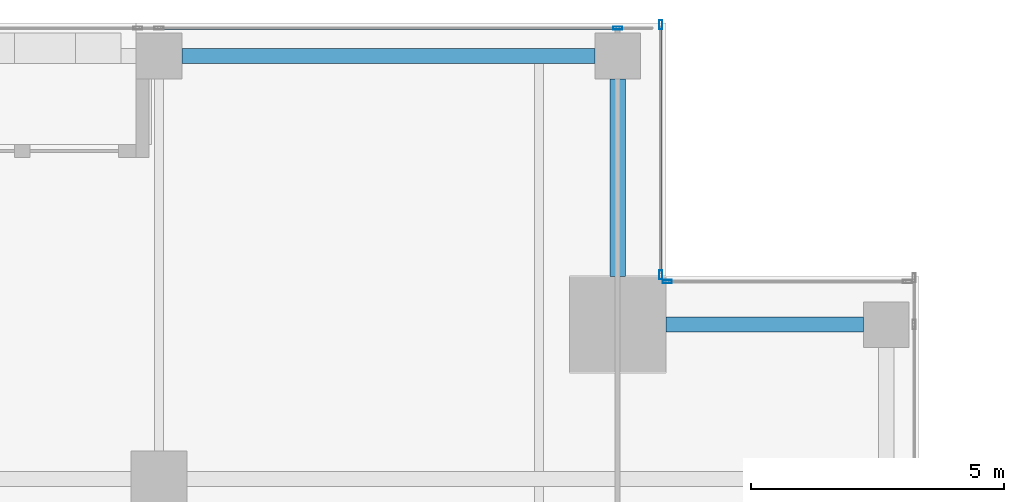
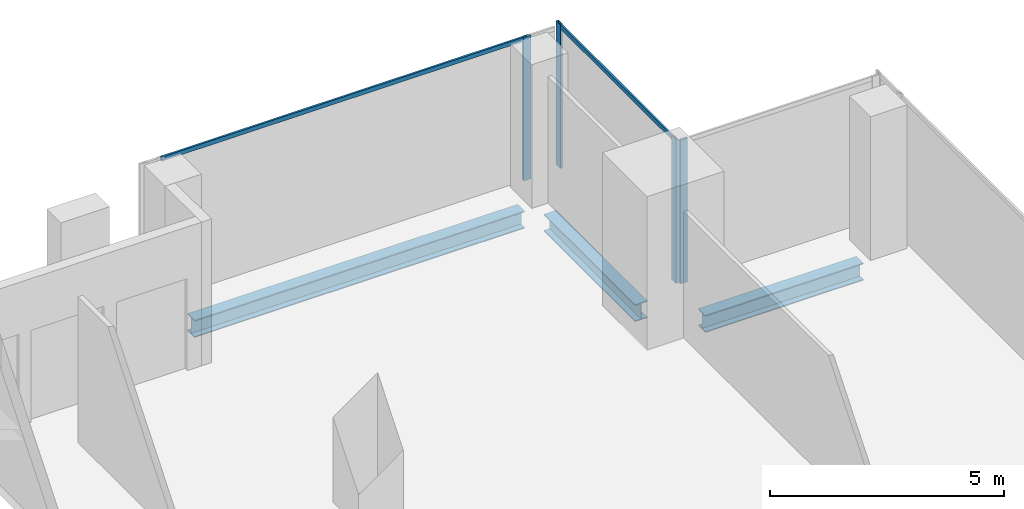
# One storey, part 22 of 34: 6 members, 3 beams, 3 elements without a shape of their own.
"""IFC4 building model written with IfcOpenShell, lengths in metres."""

import ifcopenshell
import ifcopenshell.guid

model = None  # the IFC model being written
_history = None  # IfcOwnerHistory: only IFC2X3 demands one
_inside = {}  # id of a spatial element -> (the spatial element, [elements in it])
_under = {}  # id of a project, library or spatial element -> (it, [spatial elements below it])
_declared = {}  # id of a project -> (the project, [libraries it declares])
_typed = {}  # id of a type object -> (the type object, [elements of that type])
_made_of = {}  # id of a material, layer set ... -> (it, [elements and type objects made of it])


def new_model(schema):
    """Start an empty IFC model of exactly this schema.

    Asked for "IFC4X3", IfcOpenShell would pick the latest addendum, in which some entities
    have other attributes; the version numbers below select the first issue.
    IFC2X3 requires an IfcOwnerHistory on every rooted entity: one is made here for all.
    """
    global model, _history
    if schema == "IFC4X3":
        model = ifcopenshell.file(schema_version=(4, 3, 0, 0))
    else:
        model = ifcopenshell.file(schema=schema)
    _inside.clear()
    _under.clear()
    _declared.clear()
    _typed.clear()
    _made_of.clear()
    _history = None
    if model.schema == "IFC2X3":
        org = make("IfcOrganization", Name="unknown")
        user = make(
            "IfcPersonAndOrganization",
            ThePerson=make("IfcPerson", FamilyName="unknown"),
            TheOrganization=org,
        )
        app = make(
            "IfcApplication",
            ApplicationDeveloper=org,
            Version="unknown",
            ApplicationFullName="unknown",
            ApplicationIdentifier="unknown",
        )
        _history = make(
            "IfcOwnerHistory",
            OwningUser=user,
            OwningApplication=app,
            ChangeAction="ADDED",
            CreationDate=0,
        )
    return model


def make(cls, **values):
    """One entity of the class cls with the attributes given. An attribute that is None is left unset."""
    return model.create_entity(
        cls, **{name: value for name, value in values.items() if value is not None}
    )


def rooted(cls, **values):
    """An entity with a GlobalId (a new one), such as an element, a storey or a relation."""
    return make(cls, GlobalId=ifcopenshell.guid.new(), OwnerHistory=_history, **values)


def si_unit(unit_type, name, prefix=None):
    """IfcSIUnit, for example si_unit("LENGTHUNIT", "METRE", prefix="MILLI")."""
    return make("IfcSIUnit", UnitType=unit_type, Prefix=prefix, Name=name)


def assignment(units):
    """IfcUnitAssignment: the units of a project."""
    return None if units is None else make("IfcUnitAssignment", Units=units)


def point(xyz):
    """IfcCartesianPoint."""
    return None if xyz is None else make("IfcCartesianPoint", Coordinates=xyz)


def direction(xyz):
    """IfcDirection."""
    return None if xyz is None else make("IfcDirection", DirectionRatios=xyz)


def frame(location, z_axis=None, x_axis=None):
    """IfcAxis2Placement3D, a coordinate frame: its origin and axes. An axis left out is left unset."""
    return make(
        "IfcAxis2Placement3D",
        Location=point(location),
        Axis=direction(z_axis),
        RefDirection=direction(x_axis),
    )


def frame_2d(location, x_axis=None):
    """IfcAxis2Placement2D, a coordinate frame in the plane: its origin and x axis."""
    return make(
        "IfcAxis2Placement2D", Location=point(location), RefDirection=direction(x_axis)
    )


def origin():
    """The frame at (0, 0, 0) with its axes left unset."""
    return frame((0.0, 0.0, 0.0))


def origin_2d():
    """The frame at (0, 0) in the plane with its x axis left unset."""
    return frame_2d((0.0, 0.0))


def place(relative_to, where):
    """IfcLocalPlacement: puts the frame where relative to a parent placement (None: the world)."""
    return make(
        "IfcLocalPlacement", PlacementRelTo=relative_to, RelativePlacement=where
    )


def context(
    kind, dimensions, precision=None, world=None, true_north=None, identifier=None
):
    """IfcGeometricRepresentationContext, for example the 3D "Model" context."""
    return make(
        "IfcGeometricRepresentationContext",
        ContextIdentifier=identifier,
        ContextType=kind,
        CoordinateSpaceDimension=dimensions,
        Precision=precision,
        WorldCoordinateSystem=world,
        TrueNorth=true_north,
    )


def subcontext(parent, identifier, kind, view, scale=None):
    """IfcGeometricRepresentationSubContext, for example "Body" below "Model"."""
    return make(
        "IfcGeometricRepresentationSubContext",
        ContextIdentifier=identifier,
        ContextType=kind,
        ParentContext=parent,
        TargetScale=scale,
        TargetView=view,
    )


def project(units=None, contexts=None):
    """IfcProject with its units and contexts."""
    return rooted(
        "IfcProject",
        Name="project",
        RepresentationContexts=contexts,
        UnitsInContext=assignment(units),
    )


def spatial(cls, under=None, at=None, **own):
    """A site, building, storey or space (cls), placed at a placement, below another one or the project."""
    s = rooted(cls, ObjectPlacement=at, **own)
    if under is not None:
        _under.setdefault(under.id(), (under, []))[1].append(s)
    return s


def profile(cls, at=None, kind="AREA", **sizes):
    """A parametric profile (cls). Its sizes go by their IFC names, for example OverallWidth=200.0."""
    return make(cls, ProfileType=kind, Position=at, **sizes)


def hollow_rectangle(**sizes):
    """IfcRectangleHollowProfileDef."""
    return profile("IfcRectangleHollowProfileDef", **sizes)


def i_section(**sizes):
    """IfcIShapeProfileDef."""
    return profile("IfcIShapeProfileDef", **sizes)


def extrude(swept, where, along, depth):
    """IfcExtrudedAreaSolid: the profile swept, set in the frame where, extruded along a direction by depth."""
    return make(
        "IfcExtrudedAreaSolid",
        SweptArea=swept,
        Position=where,
        ExtrudedDirection=direction(along),
        Depth=depth,
    )


def shape(context_of_items, identifier, shape_type, items):
    """IfcShapeRepresentation: the items that make up one representation, for example the "Body"."""
    return make(
        "IfcShapeRepresentation",
        ContextOfItems=context_of_items,
        RepresentationIdentifier=identifier,
        RepresentationType=shape_type,
        Items=items,
    )


def source(mapping_origin, context_of_items, identifier, shape_type, items):
    """IfcRepresentationMap: a shape defined once, which mapped items show again and again."""
    return make(
        "IfcRepresentationMap",
        MappingOrigin=mapping_origin,
        MappedRepresentation=shape(context_of_items, identifier, shape_type, items),
    )


def transform(
    local_origin,
    x_axis=None,
    y_axis=None,
    z_axis=None,
    scale=None,
    scale2=None,
    scale3=None,
    uniform=True,
):
    """IfcCartesianTransformationOperator3D, or its non-uniform kind. x_axis, y_axis, z_axis: its Axis1, 2, 3."""
    if uniform:
        return make(
            "IfcCartesianTransformationOperator3D",
            Axis1=direction(x_axis),
            Axis2=direction(y_axis),
            LocalOrigin=point(local_origin),
            Scale=scale,
            Axis3=direction(z_axis),
        )
    return make(
        "IfcCartesianTransformationOperator3DnonUniform",
        Axis1=direction(x_axis),
        Axis2=direction(y_axis),
        LocalOrigin=point(local_origin),
        Scale=scale,
        Axis3=direction(z_axis),
        Scale2=scale2,
        Scale3=scale3,
    )


def mapped(mapping_source, mapping_target):
    """IfcMappedItem: shows the shape of a source again, moved by a transform."""
    return make(
        "IfcMappedItem", MappingSource=mapping_source, MappingTarget=mapping_target
    )


def material(Name=None, Category=None):
    """IfcMaterial."""
    return make("IfcMaterial", Name=Name, Category=Category)


def material_profile(
    of_material, cross_section, Name=None, Category=None, Priority=None
):
    """IfcMaterialProfile: a cross section and its material."""
    return make(
        "IfcMaterialProfile",
        Name=Name,
        Material=of_material,
        Profile=cross_section,
        Priority=Priority,
        Category=Category,
    )


def profile_set(profiles, Name=None, composite=None):
    """IfcMaterialProfileSet."""
    return make(
        "IfcMaterialProfileSet",
        Name=Name,
        MaterialProfiles=profiles,
        CompositeProfile=composite,
    )


def made_of(thing, what):
    """Note that an element or type object is made of a material, layer set ...; save() writes the relation."""
    if what is not None:
        _made_of.setdefault(what.id(), (what, []))[1].append(thing)
    return thing


def type_object(cls, material=None, **own):
    """A type object (cls), such as IfcWallType, which elements share."""
    return made_of(rooted(cls, **own), material)


def element(
    cls,
    number,
    at=None,
    inside=None,
    cuts=None,
    type_object=None,
    material=None,
    context=None,
    identifier="Body",
    shape_type=None,
    held_by="IfcProductDefinitionShape",
    body=None,
    shapes=None,
    **own,
):
    """One element of the class cls, such as IfcWall. Its Tag is "e" and its number.

    at: its placement. inside: the storey or other place that contains it. cuts: it is an
    opening in that element (IfcRelVoidsElement). A single representation is given by context,
    identifier, shape_type and body (its items); several are given by shapes. held_by: the class
    of the entity that holds the representations. save() writes the other relations.
    """
    e = rooted(cls, Tag="e%d" % number, ObjectPlacement=at, **own)
    if body is not None:
        shapes = [shape(context, identifier, shape_type, body)]
    if shapes is not None:
        e.Representation = make(held_by, Representations=shapes)
    if inside is not None:
        _inside.setdefault(inside.id(), (inside, []))[1].append(e)
    if cuts is not None:
        rooted(
            "IfcRelVoidsElement", RelatingBuildingElement=cuts, RelatedOpeningElement=e
        )
    if type_object is not None:
        _typed.setdefault(type_object.id(), (type_object, []))[1].append(e)
    return made_of(e, material)


def aggregate(whole, parts):
    """IfcRelAggregates: a whole, such as a stair, and the parts it consists of."""
    return rooted("IfcRelAggregates", RelatingObject=whole, RelatedObjects=parts)


def save(model, path):
    """Write the relations noted so far, then the file.

    IfcRelAggregates (storeys below a building ...), IfcRelContainedInSpatialStructure (elements
    in a storey), IfcRelDefinesByType, IfcRelAssociatesMaterial and IfcRelDeclares: one each for
    every whole, place, type object, material and project.
    """
    for whole, parts in _under.values():
        aggregate(whole, parts)
    for where, things in _inside.values():
        rooted(
            "IfcRelContainedInSpatialStructure",
            RelatedElements=things,
            RelatingStructure=where,
        )
    for kind, things in _typed.values():
        rooted("IfcRelDefinesByType", RelatedObjects=things, RelatingType=kind)
    for what, things in _made_of.values():
        rooted("IfcRelAssociatesMaterial", RelatedObjects=things, RelatingMaterial=what)
    for by, libraries in _declared.values():
        rooted("IfcRelDeclares", RelatingContext=by, RelatedDefinitions=libraries)
    model.write(path)


model = new_model("IFC4")

# Units and contexts
model_context = context("Model", 3, precision=1e-05, world=origin(), true_north=direction((0.0, 1.0)))
body_context = subcontext(model_context, "Body", "Model", "MODEL_VIEW")
ifc_project = project(units=[si_unit("LENGTHUNIT", "METRE"), si_unit("AREAUNIT", "SQUARE_METRE"), si_unit("VOLUMEUNIT", "CUBIC_METRE"), si_unit("PLANEANGLEUNIT", "RADIAN"), si_unit("MASSUNIT", "GRAM", prefix="KILO")], contexts=[model_context])

# Site, building, storey
site_placement = place(None, origin())
site = spatial("IfcSite", under=ifc_project, at=site_placement, CompositionType="ELEMENT")
building_placement = place(site_placement, origin())
building = spatial("IfcBuilding", under=site, at=building_placement, Name="Khomas Fold Tower", CompositionType="ELEMENT")
storey_placement = place(building_placement, frame((0.0, 0.0, 242.199951171875)))
storey = spatial("IfcBuildingStorey", under=building, at=storey_placement, Name="L54", CompositionType="ELEMENT", Elevation=242.199951171875)

# Beams
ifc_material_1 = material(Name="Steel S355", Category="steel")
ifc_material_profile_1 = material_profile(ifc_material_1, i_section(OverallWidth=0.300048828125, OverallDepth=0.449951171875, WebThickness=0.013916015625, FlangeThickness=0.02587890625, at=origin_2d()), Name="HE 450 B")
ifc_profile_set_1 = profile_set([ifc_material_profile_1], Name="Steel S355")
beam_type = type_object("IfcBeamType", Name="HE 450 B spandrel SB4", PredefinedType="SPANDREL", material=ifc_profile_set_1)
shared_shape_1 = source(origin(), body_context, "Body", "SweptSolid", [
    extrude(i_section(OverallWidth=0.300048828125, OverallDepth=0.449951171875, WebThickness=0.013916015625, FlangeThickness=0.02587890625, at=origin_2d()), origin(), (0.0, 0.0, 1.0), 8.150146484375),
])
beam_placement = place(storey_placement, frame((34.949951171875, 48.85009765625, -0.474853515625), z_axis=(1.0, 0.0, 0.0), x_axis=(0.0, 1.0, 0.0)))
element("IfcBeam", 1, at=beam_placement, inside=storey, type_object=beam_type, Name="SB4", PredefinedType="SPANDREL", context=body_context, shape_type="MappedRepresentation", body=[
    mapped(shared_shape_1, transform((0.0, 0.0, 0.0))),
])
shared_shape_2 = source(origin(), body_context, "Body", "SweptSolid", [
    extrude(i_section(OverallWidth=0.300048828125, OverallDepth=0.449951171875, WebThickness=0.013916015625, FlangeThickness=0.02587890625, at=origin_2d()), origin(), (0.0, 0.0, 1.0), 3.89990234375),
])
for number, where, z_axis, x_axis, name in (
    (2, (44.5, 43.550048828125, -0.474853515625), (1.0, 0.0, 0.0), (0.0, 1.0, 0.0), "SB4"),
    (3, (43.550048828125, 44.5, -0.474853515625), (0.0, 1.0, 0.0), (-1.0, 0.0, 0.0), "SB4"),
):
    element("IfcBeam", number, at=place(storey_placement, frame(where, z_axis=z_axis, x_axis=x_axis)), inside=storey, type_object=beam_type, Name=name, PredefinedType="SPANDREL", context=body_context, shape_type="MappedRepresentation", body=[
        mapped(shared_shape_2, transform((0.0, 0.0, 0.0))),
    ])

# Curtain wall, member
ifc_material_2 = material(Name="Aluminium framed double glazing", Category="aluminium")
curtain_wall_type = type_object("IfcCurtainWallType", Name="SK-Unitised clear-glass wall, office floors CW2", PredefinedType="NOTDEFINED", material=ifc_material_2)
curtain_wall_1_placement = place(storey_placement, origin())
curtain_wall_1 = element("IfcCurtainWall", 4, at=curtain_wall_1_placement, inside=storey, type_object=curtain_wall_type, Name="CW2 corner return L54 04", PredefinedType="NOTDEFINED")
ifc_material_3 = material(Name="Aluminium", Category="aluminium")
ifc_material_profile_2 = material_profile(ifc_material_3, hollow_rectangle(XDim=0.06005859375, YDim=0.179931640625, WallThickness=0.00390625, at=origin_2d()), Name="SK-Unitised clear-glass wall, office floors mullion CW2-M")
ifc_profile_set_2 = profile_set([ifc_material_profile_2], Name="Aluminium")
member_type_1 = type_object("IfcMemberType", Name="SK-Unitised clear-glass wall, office floors mullion CW2-M", PredefinedType="MULLION", material=ifc_profile_set_2)
shared_shape_3 = source(origin(), body_context, "Body", "SweptSolid", [
    extrude(hollow_rectangle(XDim=0.06005859375, YDim=0.179931640625, WallThickness=0.00390625, at=origin_2d()), origin(), (0.0, 0.0, 1.0), 3.75),
])
member_1_placement = place(storey_placement, frame((44.530029296875, 44.39990234375, 0.0), z_axis=(0.0, 0.0, 1.0), x_axis=(0.0, -1.0, 0.0)))
member_1 = element("IfcMember", 5, at=member_1_placement, type_object=member_type_1, Name="CW2 mullion 2", PredefinedType="MULLION", context=body_context, shape_type="MappedRepresentation", body=[
    mapped(shared_shape_3, transform((0.0, 0.0, 0.0))),
])
aggregate(curtain_wall_1, [member_1])

# Curtain wall, members
curtain_wall_2_placement = place(storey_placement, origin())
curtain_wall_2 = element("IfcCurtainWall", 6, at=curtain_wall_2_placement, inside=storey, type_object=curtain_wall_type, Name="CW2 corner return L54 05", PredefinedType="NOTDEFINED")
member_2_placement = place(storey_placement, frame((44.39990234375, 44.530029296875, 0.0), z_axis=(0.0, 0.0, 1.0), x_axis=(-1.0, 0.0, 0.0)))
member_2 = element("IfcMember", 7, at=member_2_placement, type_object=member_type_1, Name="CW2 mullion 1", PredefinedType="MULLION", context=body_context, shape_type="MappedRepresentation", body=[
    mapped(shared_shape_3, transform((0.0, 0.0, 0.0))),
])
member_3_placement = place(storey_placement, frame((44.39990234375, 49.469970703125, 0.0), z_axis=(0.0, 0.0, 1.0), x_axis=(-1.0, 0.0, 0.0)))
member_3 = element("IfcMember", 8, at=member_3_placement, type_object=member_type_1, Name="CW2 mullion 2", PredefinedType="MULLION", context=body_context, shape_type="MappedRepresentation", body=[
    mapped(shared_shape_3, transform((0.0, 0.0, 0.0))),
])

curtain_wall_3_placement = place(storey_placement, origin())
curtain_wall_3 = element("IfcCurtainWall", 9, at=curtain_wall_3_placement, inside=storey, type_object=curtain_wall_type, Name="CW2 run L54 06-0", PredefinedType="NOTDEFINED")
member_4_placement = place(storey_placement, frame((43.550048828125, 49.39990234375, 0.0), z_axis=(0.0, 0.0, 1.0), x_axis=(0.0, -1.0, 0.0)))
member_4 = element("IfcMember", 10, at=member_4_placement, type_object=member_type_1, Name="CW2 mullion 2", PredefinedType="MULLION", context=body_context, shape_type="MappedRepresentation", body=[
    mapped(shared_shape_3, transform((0.0, 0.0, 0.0))),
])
ifc_material_4 = material(Name="Aluminium", Category="aluminium")
ifc_material_profile_3 = material_profile(ifc_material_4, hollow_rectangle(XDim=0.050048828125, YDim=0.110107421875, WallThickness=0.00390625, at=origin_2d()), Name="SK-Unitised clear-glass wall, office floors transom CW2-T")
ifc_profile_set_3 = profile_set([ifc_material_profile_3], Name="Aluminium")
member_type_2 = type_object("IfcMemberType", Name="SK-Unitised clear-glass wall, office floors transom CW2-T", PredefinedType="USERDEFINED", material=ifc_profile_set_3)
shared_shape_4 = source(origin(), body_context, "Body", "SweptSolid", [
    extrude(hollow_rectangle(XDim=0.050048828125, YDim=0.110107421875, WallThickness=0.00390625, at=origin_2d()), origin(), (0.0, 0.0, 1.0), 8.989990234375),
])
member_5_placement = place(storey_placement, frame((43.52001953125, 49.39990234375, 3.695068359375), z_axis=(-1.0, 0.0, 0.0), x_axis=(0.0, -1.0, 0.0)))
member_5 = element("IfcMember", 11, at=member_5_placement, type_object=member_type_2, Name="CW2 transom 2", ObjectType="TRANSOM", PredefinedType="USERDEFINED", context=body_context, shape_type="MappedRepresentation", body=[
    mapped(shared_shape_4, transform((0.0, 0.0, 0.0))),
])
aggregate(curtain_wall_3, [member_4, member_5])

# Member
shared_shape_5 = source(origin(), body_context, "Body", "SweptSolid", [
    extrude(hollow_rectangle(XDim=0.050048828125, YDim=0.110107421875, WallThickness=0.00390625, at=origin_2d()), origin(), (0.0, 0.0, 1.0), 4.8798828125),
])
member_6_placement = place(storey_placement, frame((44.39990234375, 44.56005859375, 3.695068359375), z_axis=(0.0, 1.0, 0.0), x_axis=(-1.0, 0.0, 0.0)))
member_6 = element("IfcMember", 12, at=member_6_placement, type_object=member_type_2, Name="CW2 transom 1", ObjectType="TRANSOM", PredefinedType="USERDEFINED", context=body_context, shape_type="MappedRepresentation", body=[
    mapped(shared_shape_5, transform((0.0, 0.0, 0.0))),
])

aggregate(curtain_wall_2, [member_2, member_3, member_6])

save(model, "model.ifc")
